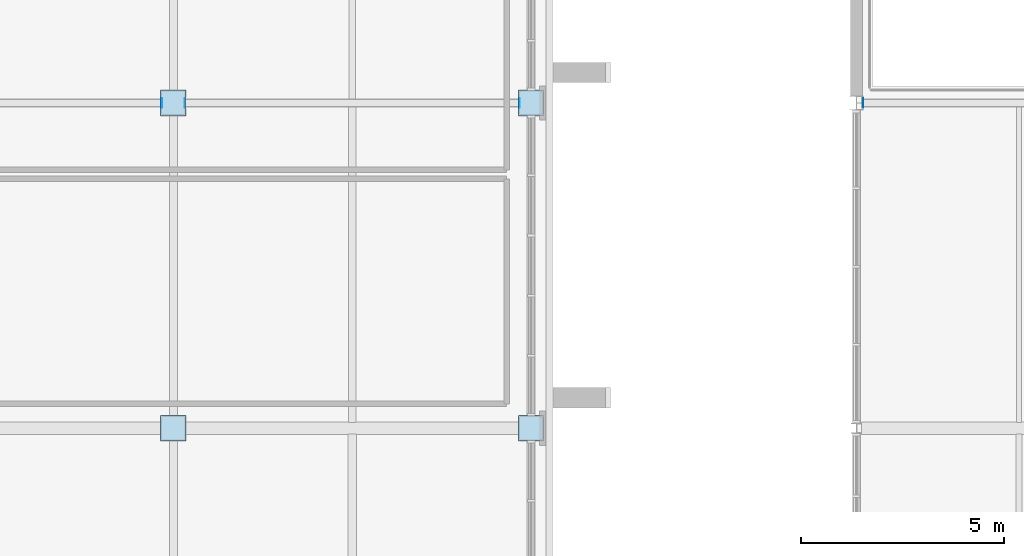
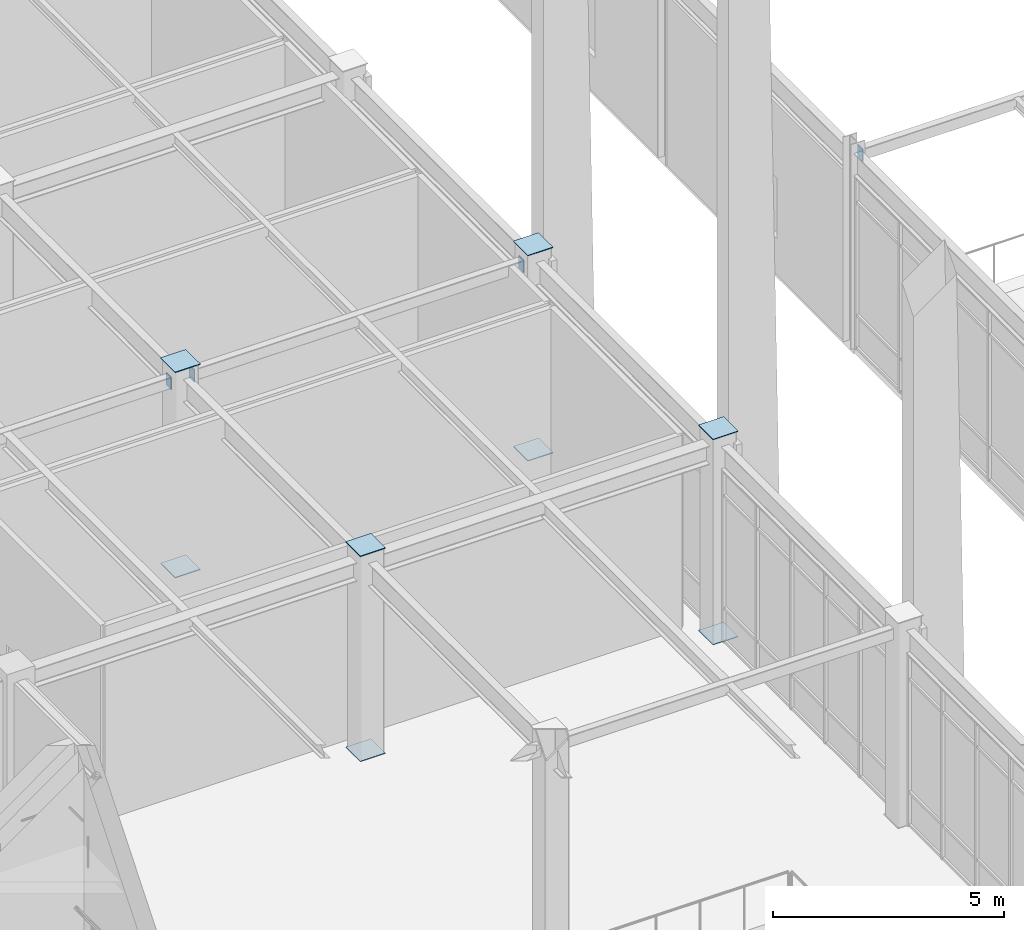
# One storey, part 117 of 184: 12 plates.
"""IFC4 building model written with IfcOpenShell, lengths in metres."""

from ifc_helpers import new_model, si_unit, direction, frame, origin, origin_2d, place, context, subcontext, project, spatial, rectangle, extrude, material, layer, layer_set, type_object, element, save


model = new_model("IFC4")

# Units and contexts
model_context = context("Model", 3, precision=1e-05, world=origin(), true_north=direction((0.0, 1.0)))
body_context = subcontext(model_context, "Body", "Model", "MODEL_VIEW")
ifc_project = project(units=[si_unit("LENGTHUNIT", "METRE"), si_unit("AREAUNIT", "SQUARE_METRE"), si_unit("VOLUMEUNIT", "CUBIC_METRE"), si_unit("PLANEANGLEUNIT", "RADIAN"), si_unit("MASSUNIT", "GRAM", prefix="KILO")], contexts=[model_context])

# Site, building, storey
site_placement = place(None, origin())
site = spatial("IfcSite", under=ifc_project, at=site_placement, CompositionType="ELEMENT")
building_placement = place(site_placement, origin())
building = spatial("IfcBuilding", under=site, at=building_placement, Name="Zhaolan Boulevard Law Courts", CompositionType="ELEMENT")
storey_placement = place(building_placement, frame((0.0, 0.0, 5.39990234375)))
storey = spatial("IfcBuildingStorey", under=building, at=storey_placement, Name="L01", CompositionType="ELEMENT", Elevation=5.39990234375)

# Plates
ifc_material = material(Name="Structural steel Q355B", Category="steel")
ifc_layer = layer(ifc_material, 0.02001953125)
ifc_layer_set = layer_set([ifc_layer])
plate_type = type_object("IfcPlateType", Name="END CAP PLATE 20", PredefinedType="SHEET", material=ifc_layer_set)
for number, where, z_axis, x_axis, name in (
    (1, (35.199951171875, 54.0, -0.017822265625), (0.0, 0.0, 1.0), (1.0, 0.0, 0.0), "Hollow Section End-Cap Plate ECP-0425"),
    (2, (35.199951171875, 54.0, 5.398193359375), (0.0, 0.0, 1.0), (1.0, 0.0, 0.0), "Hollow Section End-Cap Plate ECP-0426"),
    (3, (35.199951171875, 62.0, -0.017822265625), (0.0, 0.0, 1.0), (1.0, 0.0, 0.0), "Hollow Section End-Cap Plate ECP-0447"),
    (4, (35.199951171875, 62.0, 5.398193359375), (0.0, 0.0, 1.0), (1.0, 0.0, 0.0), "Hollow Section End-Cap Plate ECP-0448"),
    (5, (44.0, 54.0, -0.017822265625), (0.0, 0.0, 1.0), (1.0, 0.0, 0.0), "Hollow Section End-Cap Plate ECP-0545"),
    (6, (44.0, 54.0, 5.398193359375), (0.0, 0.0, 1.0), (1.0, 0.0, 0.0), "Hollow Section End-Cap Plate ECP-0546"),
    (7, (44.0, 62.0, -0.017822265625), (0.0, 0.0, 1.0), (1.0, 0.0, 0.0), "Hollow Section End-Cap Plate ECP-0563"),
    (8, (44.0, 62.0, 5.398193359375), (0.0, 0.0, 1.0), (1.0, 0.0, 0.0), "Hollow Section End-Cap Plate ECP-0564"),
):
    element("IfcPlate", number, at=place(storey_placement, frame(where, z_axis=z_axis, x_axis=x_axis)), inside=storey, type_object=plate_type, Name=name, PredefinedType="SHEET", context=body_context, shape_type="SweptSolid", body=[
        extrude(rectangle(XDim=0.6298828125, YDim=0.6298828125, at=origin_2d()), origin(), (0.0, 0.0, 1.0), 0.02001953125),
    ])
for number, where, z_axis, x_axis, name in (
    (9, (34.912109375, 62.0, 4.822998046875), (0.0, 0.0, 1.0), (1.0, 0.0, 0.0), "Hollow Section End-Cap Plate ECP-0788"),
    (10, (35.488037109375, 62.0, 4.822998046875), (0.0, 0.0, 1.0), (1.0, 0.0, 0.0), "Hollow Section End-Cap Plate ECP-0789"),
    (11, (43.7119140625, 62.0, 4.822998046875), (0.0, 0.0, 1.0), (1.0, 0.0, 0.0), "Hollow Section End-Cap Plate ECP-0790"),
    (12, (52.1630859375, 62.0, 4.802978515625), (0.0, 0.0, 1.0), (1.0, 0.0, 0.0), "Hollow Section End-Cap Plate ECP-0791"),
):
    element("IfcPlate", number, at=place(storey_placement, frame(where, z_axis=z_axis, x_axis=x_axis)), inside=storey, type_object=plate_type, Name=name, PredefinedType="SHEET", context=body_context, shape_type="SweptSolid", body=[
        extrude(rectangle(XDim=0.02001953125, YDim=0.22998046875, at=origin_2d()), origin(), (0.0, 0.0, 1.0), 0.330078125),
    ])

save(model, "model.ifc")
